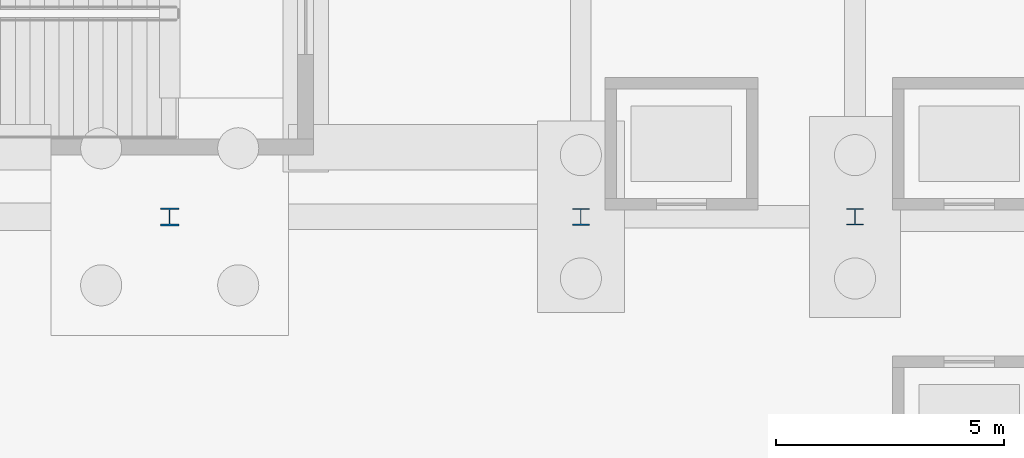
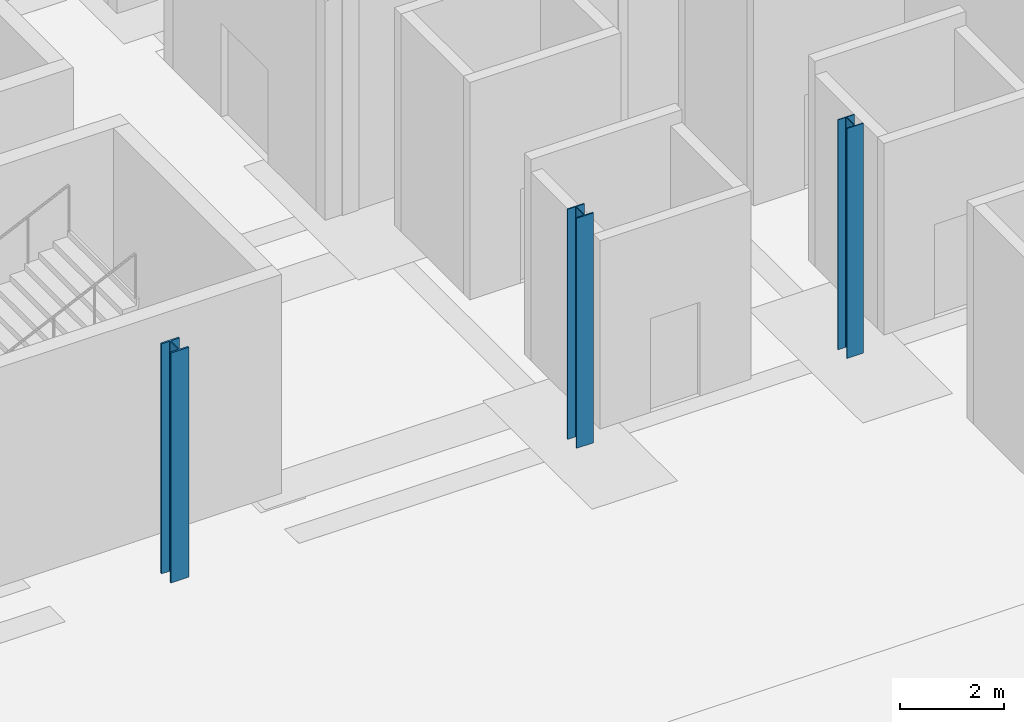
# One storey, part 29 of 58: 3 columns.
"""IFC4 building model written with IfcOpenShell, lengths in metres."""

from ifc_helpers import new_model, si_unit, direction, frame, origin, origin_2d, place, context, subcontext, project, spatial, i_section, extrude, material, material_profile, profile_set, type_object, element, save


model = new_model("IFC4")

# Units and contexts
model_context = context("Model", 3, precision=1e-05, world=origin(), true_north=direction((0.0, 1.0)))
body_context = subcontext(model_context, "Body", "Model", "MODEL_VIEW")
ifc_project = project(units=[si_unit("LENGTHUNIT", "METRE"), si_unit("AREAUNIT", "SQUARE_METRE"), si_unit("VOLUMEUNIT", "CUBIC_METRE"), si_unit("PLANEANGLEUNIT", "RADIAN"), si_unit("MASSUNIT", "GRAM", prefix="KILO")], contexts=[model_context])

# Site, building, storey
site_placement = place(None, origin())
site = spatial("IfcSite", under=ifc_project, at=site_placement, CompositionType="ELEMENT")
building_placement = place(site_placement, origin())
building = spatial("IfcBuilding", under=site, at=building_placement, Name="Qamarlyn Nura Convention Centre", CompositionType="ELEMENT")
storey_placement = place(building_placement, frame((0.0, 0.0, -5.39990234375)))
storey = spatial("IfcBuildingStorey", under=building, at=storey_placement, Name="B01", CompositionType="ELEMENT", Elevation=-5.39990234375)

# Columns
ifc_material = material(Name="Steel ASTM A992", Category="steel")
ifc_material_profile_1 = material_profile(ifc_material, i_section(OverallWidth=0.39892578125, OverallDepth=0.39306640625, WebThickness=0.022705078125, FlangeThickness=0.03662109375, FilletRadius=0.01806640625, at=origin_2d()), Name="W360X287")
ifc_profile_set_1 = profile_set([ifc_material_profile_1], Name="Steel ASTM A992")
column_type_1 = type_object("IfcColumnType", Name="COL-WING-1", PredefinedType="COLUMN", material=ifc_profile_set_1)
column_1_placement = place(storey_placement, frame((171.0, 54.0, 0.0), z_axis=(0.0, 0.0, 1.0), x_axis=(1.0, 0.0, 0.0)))
element("IfcColumn", 1, at=column_1_placement, inside=storey, type_object=column_type_1, Name="B01 column 15/G", PredefinedType="COLUMN", context=body_context, shape_type="SweptSolid", body=[
    extrude(i_section(OverallWidth=0.39892578125, OverallDepth=0.39306640625, WebThickness=0.022705078125, FlangeThickness=0.03662109375, FilletRadius=0.01806640625, at=origin_2d()), origin(), (0.0, 0.0, 1.0), 5.39990234375),
])
ifc_material_profile_2 = material_profile(ifc_material, i_section(OverallWidth=0.3740234375, OverallDepth=0.3720703125, WebThickness=0.016357421875, FlangeThickness=0.026123046875, FilletRadius=0.01611328125, at=origin_2d()), Name="W360X196")
ifc_profile_set_2 = profile_set([ifc_material_profile_2], Name="Steel ASTM A992")
column_type_2 = type_object("IfcColumnType", Name="COL-WING-2", PredefinedType="COLUMN", material=ifc_profile_set_2)
column_2_placement = place(storey_placement, frame((180.0, 54.0, 0.0), z_axis=(0.0, 0.0, 1.0), x_axis=(1.0, 0.0, 0.0)))
element("IfcColumn", 2, at=column_2_placement, inside=storey, type_object=column_type_2, Name="B01 column 16/G", PredefinedType="COLUMN", context=body_context, shape_type="SweptSolid", body=[
    extrude(i_section(OverallWidth=0.3740234375, OverallDepth=0.3720703125, WebThickness=0.016357421875, FlangeThickness=0.026123046875, FilletRadius=0.01611328125, at=origin_2d()), origin(), (0.0, 0.0, 1.0), 5.39990234375),
])
ifc_material_profile_3 = material_profile(ifc_material, i_section(OverallWidth=0.368896484375, OverallDepth=0.35595703125, WebThickness=0.01123046875, FlangeThickness=0.01806640625, FilletRadius=0.014892578125, at=origin_2d()), Name="W360X134")
ifc_profile_set_3 = profile_set([ifc_material_profile_3], Name="Steel ASTM A992")
column_type_3 = type_object("IfcColumnType", Name="COL-WING-3", PredefinedType="COLUMN", material=ifc_profile_set_3)
column_3_placement = place(storey_placement, frame((186.0, 54.0, 0.0), z_axis=(0.0, 0.0, 1.0), x_axis=(1.0, 0.0, 0.0)))
element("IfcColumn", 3, at=column_3_placement, inside=storey, type_object=column_type_3, Name="B01 column 17/G", PredefinedType="COLUMN", context=body_context, shape_type="SweptSolid", body=[
    extrude(i_section(OverallWidth=0.368896484375, OverallDepth=0.35595703125, WebThickness=0.01123046875, FlangeThickness=0.01806640625, FilletRadius=0.014892578125, at=origin_2d()), origin(), (0.0, 0.0, 1.0), 5.39990234375),
])

save(model, "model.ifc")
